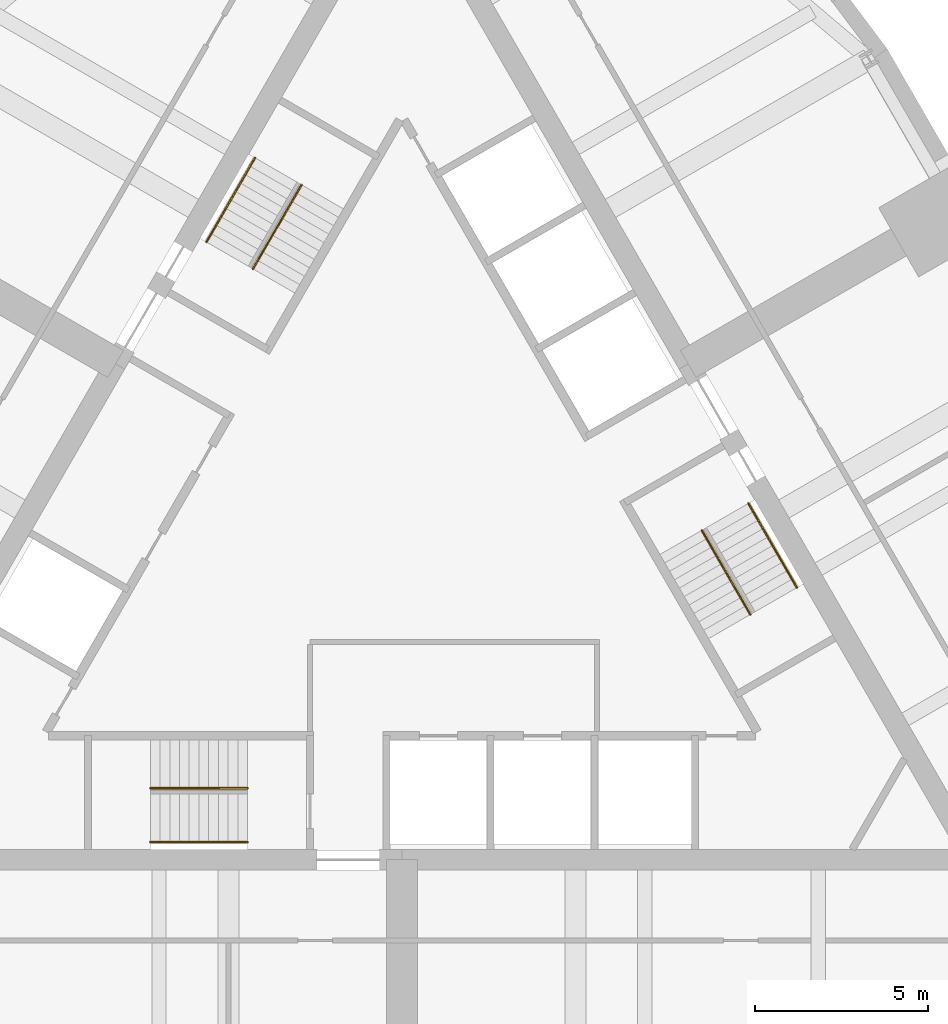
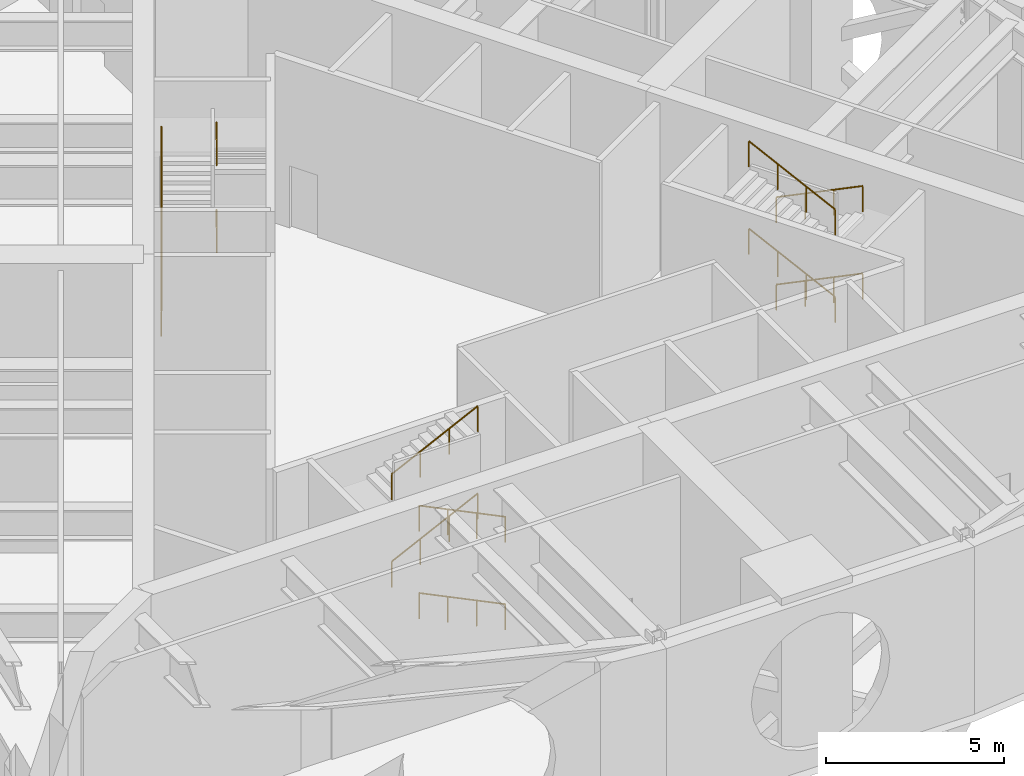
# One storey, part 6 of 6: 12 railings.
"""IFC4 building model written with IfcOpenShell, lengths in metres."""

from ifc_helpers import new_model, si_unit, direction, frame, origin, origin_2d, place, context, subcontext, project, spatial, circle, extrude, material, type_object, element, save


model = new_model("IFC4")

# Units and contexts
model_context = context("Model", 3, precision=1e-05, world=origin(), true_north=direction((0.0, 1.0)))
body_context = subcontext(model_context, "Body", "Model", "MODEL_VIEW")
ifc_project = project(units=[si_unit("LENGTHUNIT", "METRE"), si_unit("AREAUNIT", "SQUARE_METRE"), si_unit("VOLUMEUNIT", "CUBIC_METRE"), si_unit("PLANEANGLEUNIT", "RADIAN"), si_unit("MASSUNIT", "GRAM", prefix="KILO")], contexts=[model_context])

# Site, building, storey
site_placement = place(None, origin())
site = spatial("IfcSite", under=ifc_project, at=site_placement, CompositionType="ELEMENT")
building_placement = place(site_placement, origin())
building = spatial("IfcBuilding", under=site, at=building_placement, Name="Trikona Tower", CompositionType="ELEMENT")
storey_placement = place(building_placement, frame((0.0, 0.0, 275.300048828125)))
storey = spatial("IfcBuildingStorey", under=building, at=storey_placement, Name="L73", CompositionType="ELEMENT", Elevation=275.300048828125)

# Railings
ifc_material = material(Name="Stainless steel handrail", Category="steel")
railing_type = type_object("IfcRailingType", Name="Stair handrail", PredefinedType="HANDRAIL", material=ifc_material)
railing_1_placement = place(storey_placement, frame((-4.449951171875, -9.016357421875, 0.13623046875)))
element("IfcRailing", 1, at=railing_1_placement, inside=storey, type_object=railing_type, Name="Stair handrail A L73 1", PredefinedType="HANDRAIL", context=body_context, shape_type="SweptSolid", body=[
    extrude(circle(Radius=0.02392578125, at=origin_2d()), frame((0.0, 0.0, 0.8759765625), z_axis=(-0.899034972723, 0.0, 0.437876829508), x_axis=(0.0, -1.0, 0.0)), (0.0, 0.0, 1.0), 3.114501953125),
    extrude(circle(Radius=0.02099609375, at=origin_2d()), origin(), (0.0, 0.0, 1.0), 0.851806640625),
    extrude(circle(Radius=0.02099609375, at=origin_2d()), frame((-0.933349609375, 0.0, 0.45458984375)), (0.0, 0.0, 1.0), 0.851806640625),
    extrude(circle(Radius=0.02099609375, at=origin_2d()), frame((-1.86669921875, 0.0, 0.9091796875)), (0.0, 0.0, 1.0), 0.851806640625),
    extrude(circle(Radius=0.02099609375, at=origin_2d()), frame((-2.800048828125, 0.0, 1.36376953125)), (0.0, 0.0, 1.0), 0.851806640625),
])
railing_2_placement = place(storey_placement, frame((-7.25, -7.46630859375, 1.63623046875)))
element("IfcRailing", 2, at=railing_2_placement, inside=storey, type_object=railing_type, Name="Stair handrail A L73 2", PredefinedType="HANDRAIL", context=body_context, shape_type="SweptSolid", body=[
    extrude(circle(Radius=0.02392578125, at=origin_2d()), frame((0.0, 0.0, 0.8759765625), z_axis=(0.899034972723, 0.0, 0.437876829508), x_axis=(0.0, 1.0, 0.0)), (0.0, 0.0, 1.0), 3.114501953125),
    extrude(circle(Radius=0.02099609375, at=origin_2d()), origin(), (0.0, 0.0, 1.0), 0.851806640625),
    extrude(circle(Radius=0.02099609375, at=origin_2d()), frame((0.933349609375, 0.0, 0.45458984375)), (0.0, 0.0, 1.0), 0.851806640625),
    extrude(circle(Radius=0.02099609375, at=origin_2d()), frame((1.86669921875, 0.0, 0.9091796875)), (0.0, 0.0, 1.0), 0.851806640625),
    extrude(circle(Radius=0.02099609375, at=origin_2d()), frame((2.800048828125, 0.0, 1.36376953125)), (0.0, 0.0, 1.0), 0.851806640625),
])
railing_3_placement = place(storey_placement, frame((-4.449951171875, -9.016357421875, 3.13623046875)))
element("IfcRailing", 3, at=railing_3_placement, inside=storey, type_object=railing_type, Name="Stair handrail A L73 3", PredefinedType="HANDRAIL", context=body_context, shape_type="SweptSolid", body=[
    extrude(circle(Radius=0.02392578125, at=origin_2d()), frame((0.0, 0.0, 0.8759765625), z_axis=(-0.899034972723, 0.0, 0.437876829508), x_axis=(0.0, -1.0, 0.0)), (0.0, 0.0, 1.0), 3.114501953125),
    extrude(circle(Radius=0.02099609375, at=origin_2d()), origin(), (0.0, 0.0, 1.0), 0.851806640625),
    extrude(circle(Radius=0.02099609375, at=origin_2d()), frame((-0.933349609375, 0.0, 0.45458984375)), (0.0, 0.0, 1.0), 0.851806640625),
    extrude(circle(Radius=0.02099609375, at=origin_2d()), frame((-1.86669921875, 0.0, 0.9091796875)), (0.0, 0.0, 1.0), 0.851806640625),
    extrude(circle(Radius=0.02099609375, at=origin_2d()), frame((-2.800048828125, 0.0, 1.36376953125)), (0.0, 0.0, 1.0), 0.851806640625),
])
railing_4_placement = place(storey_placement, frame((-7.25, -7.46630859375, 4.63623046875)))
element("IfcRailing", 4, at=railing_4_placement, inside=storey, type_object=railing_type, Name="Stair handrail A L73 4", PredefinedType="HANDRAIL", context=body_context, shape_type="SweptSolid", body=[
    extrude(circle(Radius=0.02392578125, at=origin_2d()), frame((0.0, 0.0, 0.8759765625), z_axis=(0.899034972723, 0.0, 0.437876829508), x_axis=(0.0, 1.0, 0.0)), (0.0, 0.0, 1.0), 3.114501953125),
    extrude(circle(Radius=0.02099609375, at=origin_2d()), origin(), (0.0, 0.0, 1.0), 0.851806640625),
    extrude(circle(Radius=0.02099609375, at=origin_2d()), frame((0.933349609375, 0.0, 0.45458984375)), (0.0, 0.0, 1.0), 0.851806640625),
    extrude(circle(Radius=0.02099609375, at=origin_2d()), frame((1.86669921875, 0.0, 0.9091796875)), (0.0, 0.0, 1.0), 0.851806640625),
    extrude(circle(Radius=0.02099609375, at=origin_2d()), frame((2.800048828125, 0.0, 1.36376953125)), (0.0, 0.0, 1.0), 0.851806640625),
])
railing_5_placement = place(storey_placement, frame((9.9833984375, 0.740966796875, 0.13623046875)))
element("IfcRailing", 5, at=railing_5_placement, inside=storey, type_object=railing_type, Name="Stair handrail B L73 1", PredefinedType="HANDRAIL", context=body_context, shape_type="SweptSolid", body=[
    extrude(circle(Radius=0.02392578125, at=origin_2d()), frame((0.0, 0.0, 0.8759765625), z_axis=(0.449470995421, -0.778617962595, 0.437869721036), x_axis=(0.866056369097, 0.49994636267, 0.0)), (0.0, 0.0, 1.0), 3.114501953125),
    extrude(circle(Radius=0.02099609375, at=origin_2d()), origin(), (0.0, 0.0, 1.0), 0.851806640625),
    extrude(circle(Radius=0.02099609375, at=origin_2d()), frame((0.466552734375, -0.808349609375, 0.45458984375)), (0.0, 0.0, 1.0), 0.851806640625),
    extrude(circle(Radius=0.02099609375, at=origin_2d()), frame((0.933349609375, -1.61669921875, 0.9091796875)), (0.0, 0.0, 1.0), 0.851806640625),
    extrude(circle(Radius=0.02099609375, at=origin_2d()), frame((1.39990234375, -2.425048828125, 1.36376953125)), (0.0, 0.0, 1.0), 0.851806640625),
])
railing_6_placement = place(storey_placement, frame((10.041015625, -2.458984375, 1.63623046875)))
element("IfcRailing", 6, at=railing_6_placement, inside=storey, type_object=railing_type, Name="Stair handrail B L73 2", PredefinedType="HANDRAIL", context=body_context, shape_type="SweptSolid", body=[
    extrude(circle(Radius=0.02392578125, at=origin_2d()), frame((0.0, 0.0, 0.8759765625), z_axis=(-0.449470995421, 0.778617962595, 0.437869721036), x_axis=(-0.866056369097, -0.49994636267, 0.0)), (0.0, 0.0, 1.0), 3.114501953125),
    extrude(circle(Radius=0.02099609375, at=origin_2d()), origin(), (0.0, 0.0, 1.0), 0.851806640625),
    extrude(circle(Radius=0.02099609375, at=origin_2d()), frame((-0.466552734375, 0.808349609375, 0.45458984375)), (0.0, 0.0, 1.0), 0.851806640625),
    extrude(circle(Radius=0.02099609375, at=origin_2d()), frame((-0.933349609375, 1.61669921875, 0.9091796875)), (0.0, 0.0, 1.0), 0.851806640625),
    extrude(circle(Radius=0.02099609375, at=origin_2d()), frame((-1.39990234375, 2.425048828125, 1.36376953125)), (0.0, 0.0, 1.0), 0.851806640625),
])
railing_7_placement = place(storey_placement, frame((9.9833984375, 0.740966796875, 3.13623046875)))
element("IfcRailing", 7, at=railing_7_placement, inside=storey, type_object=railing_type, Name="Stair handrail B L73 3", PredefinedType="HANDRAIL", context=body_context, shape_type="SweptSolid", body=[
    extrude(circle(Radius=0.02392578125, at=origin_2d()), frame((0.0, 0.0, 0.8759765625), z_axis=(0.449470995421, -0.778617962595, 0.437869721036), x_axis=(0.866056369097, 0.49994636267, 0.0)), (0.0, 0.0, 1.0), 3.114501953125),
    extrude(circle(Radius=0.02099609375, at=origin_2d()), origin(), (0.0, 0.0, 1.0), 0.851806640625),
    extrude(circle(Radius=0.02099609375, at=origin_2d()), frame((0.466552734375, -0.808349609375, 0.45458984375)), (0.0, 0.0, 1.0), 0.851806640625),
    extrude(circle(Radius=0.02099609375, at=origin_2d()), frame((0.933349609375, -1.61669921875, 0.9091796875)), (0.0, 0.0, 1.0), 0.851806640625),
    extrude(circle(Radius=0.02099609375, at=origin_2d()), frame((1.39990234375, -2.425048828125, 1.36376953125)), (0.0, 0.0, 1.0), 0.851806640625),
])
railing_8_placement = place(storey_placement, frame((10.041015625, -2.458984375, 4.63623046875)))
element("IfcRailing", 8, at=railing_8_placement, inside=storey, type_object=railing_type, Name="Stair handrail B L73 4", PredefinedType="HANDRAIL", context=body_context, shape_type="SweptSolid", body=[
    extrude(circle(Radius=0.02392578125, at=origin_2d()), frame((0.0, 0.0, 0.8759765625), z_axis=(-0.449470995421, 0.778617962595, 0.437869721036), x_axis=(-0.866056369097, -0.49994636267, 0.0)), (0.0, 0.0, 1.0), 3.114501953125),
    extrude(circle(Radius=0.02099609375, at=origin_2d()), origin(), (0.0, 0.0, 1.0), 0.851806640625),
    extrude(circle(Radius=0.02099609375, at=origin_2d()), frame((-0.466552734375, 0.808349609375, 0.45458984375)), (0.0, 0.0, 1.0), 0.851806640625),
    extrude(circle(Radius=0.02099609375, at=origin_2d()), frame((-0.933349609375, 1.61669921875, 0.9091796875)), (0.0, 0.0, 1.0), 0.851806640625),
    extrude(circle(Radius=0.02099609375, at=origin_2d()), frame((-1.39990234375, 2.425048828125, 1.36376953125)), (0.0, 0.0, 1.0), 0.851806640625),
])
railing_9_placement = place(storey_placement, frame((-5.63330078125, 8.275390625, 0.13623046875)))
element("IfcRailing", 9, at=railing_9_placement, inside=storey, type_object=railing_type, Name="Stair handrail C L73 1", PredefinedType="HANDRAIL", context=body_context, shape_type="SweptSolid", body=[
    extrude(circle(Radius=0.02392578125, at=origin_2d()), frame((0.0, 0.0, 0.8759765625), z_axis=(0.449498429348, 0.778587094573, 0.437896446867), x_axis=(-0.866034573852, 0.49998411664, 0.0)), (0.0, 0.0, 1.0), 3.1142578125),
    extrude(circle(Radius=0.02099609375, at=origin_2d()), origin(), (0.0, 0.0, 1.0), 0.851806640625),
    extrude(circle(Radius=0.02099609375, at=origin_2d()), frame((0.466552734375, 0.808349609375, 0.45458984375)), (0.0, 0.0, 1.0), 0.851806640625),
    extrude(circle(Radius=0.02099609375, at=origin_2d()), frame((0.933349609375, 1.616455078125, 0.9091796875)), (0.0, 0.0, 1.0), 0.851806640625),
    extrude(circle(Radius=0.02099609375, at=origin_2d()), frame((1.39990234375, 2.4248046875, 1.36376953125)), (0.0, 0.0, 1.0), 0.851806640625),
])
railing_10_placement = place(storey_placement, frame((-2.89111328125, 9.92529296875, 1.63623046875)))
element("IfcRailing", 10, at=railing_10_placement, inside=storey, type_object=railing_type, Name="Stair handrail C L73 2", PredefinedType="HANDRAIL", context=body_context, shape_type="SweptSolid", body=[
    extrude(circle(Radius=0.02392578125, at=origin_2d()), frame((0.0, 0.0, 0.8759765625), z_axis=(-0.449470995421, -0.778617962595, 0.437869721036), x_axis=(0.866056369097, -0.49994636267, 0.0)), (0.0, 0.0, 1.0), 3.114501953125),
    extrude(circle(Radius=0.02099609375, at=origin_2d()), origin(), (0.0, 0.0, 1.0), 0.851806640625),
    extrude(circle(Radius=0.02099609375, at=origin_2d()), frame((-0.466552734375, -0.808349609375, 0.45458984375)), (0.0, 0.0, 1.0), 0.851806640625),
    extrude(circle(Radius=0.02099609375, at=origin_2d()), frame((-0.933349609375, -1.61669921875, 0.9091796875)), (0.0, 0.0, 1.0), 0.851806640625),
    extrude(circle(Radius=0.02099609375, at=origin_2d()), frame((-1.39990234375, -2.425048828125, 1.36376953125)), (0.0, 0.0, 1.0), 0.851806640625),
])
railing_11_placement = place(storey_placement, frame((-5.63330078125, 8.275390625, 3.13623046875)))
element("IfcRailing", 11, at=railing_11_placement, inside=storey, type_object=railing_type, Name="Stair handrail C L73 3", PredefinedType="HANDRAIL", context=body_context, shape_type="SweptSolid", body=[
    extrude(circle(Radius=0.02392578125, at=origin_2d()), frame((0.0, 0.0, 0.8759765625), z_axis=(0.449498429348, 0.778587094573, 0.437896446867), x_axis=(-0.866034573852, 0.49998411664, 0.0)), (0.0, 0.0, 1.0), 3.1142578125),
    extrude(circle(Radius=0.02099609375, at=origin_2d()), origin(), (0.0, 0.0, 1.0), 0.851806640625),
    extrude(circle(Radius=0.02099609375, at=origin_2d()), frame((0.466552734375, 0.808349609375, 0.45458984375)), (0.0, 0.0, 1.0), 0.851806640625),
    extrude(circle(Radius=0.02099609375, at=origin_2d()), frame((0.933349609375, 1.616455078125, 0.9091796875)), (0.0, 0.0, 1.0), 0.851806640625),
    extrude(circle(Radius=0.02099609375, at=origin_2d()), frame((1.39990234375, 2.4248046875, 1.36376953125)), (0.0, 0.0, 1.0), 0.851806640625),
])
railing_12_placement = place(storey_placement, frame((-2.89111328125, 9.92529296875, 4.63623046875)))
element("IfcRailing", 12, at=railing_12_placement, inside=storey, type_object=railing_type, Name="Stair handrail C L73 4", PredefinedType="HANDRAIL", context=body_context, shape_type="SweptSolid", body=[
    extrude(circle(Radius=0.02392578125, at=origin_2d()), frame((0.0, 0.0, 0.8759765625), z_axis=(-0.449470995421, -0.778617962595, 0.437869721036), x_axis=(0.866056369097, -0.49994636267, 0.0)), (0.0, 0.0, 1.0), 3.114501953125),
    extrude(circle(Radius=0.02099609375, at=origin_2d()), origin(), (0.0, 0.0, 1.0), 0.851806640625),
    extrude(circle(Radius=0.02099609375, at=origin_2d()), frame((-0.466552734375, -0.808349609375, 0.45458984375)), (0.0, 0.0, 1.0), 0.851806640625),
    extrude(circle(Radius=0.02099609375, at=origin_2d()), frame((-0.933349609375, -1.61669921875, 0.9091796875)), (0.0, 0.0, 1.0), 0.851806640625),
    extrude(circle(Radius=0.02099609375, at=origin_2d()), frame((-1.39990234375, -2.425048828125, 1.36376953125)), (0.0, 0.0, 1.0), 0.851806640625),
])

save(model, "model.ifc")
